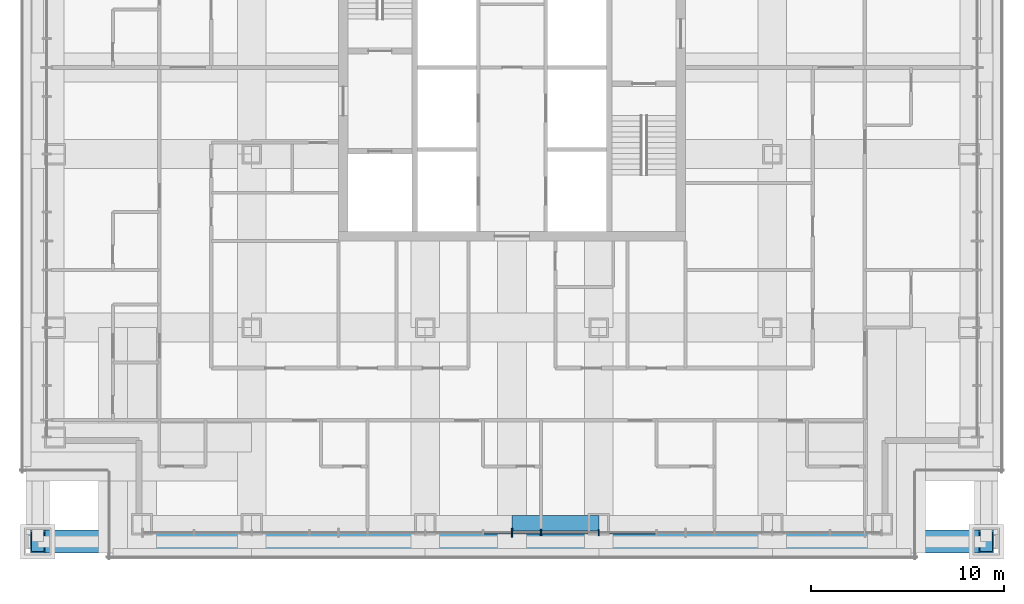
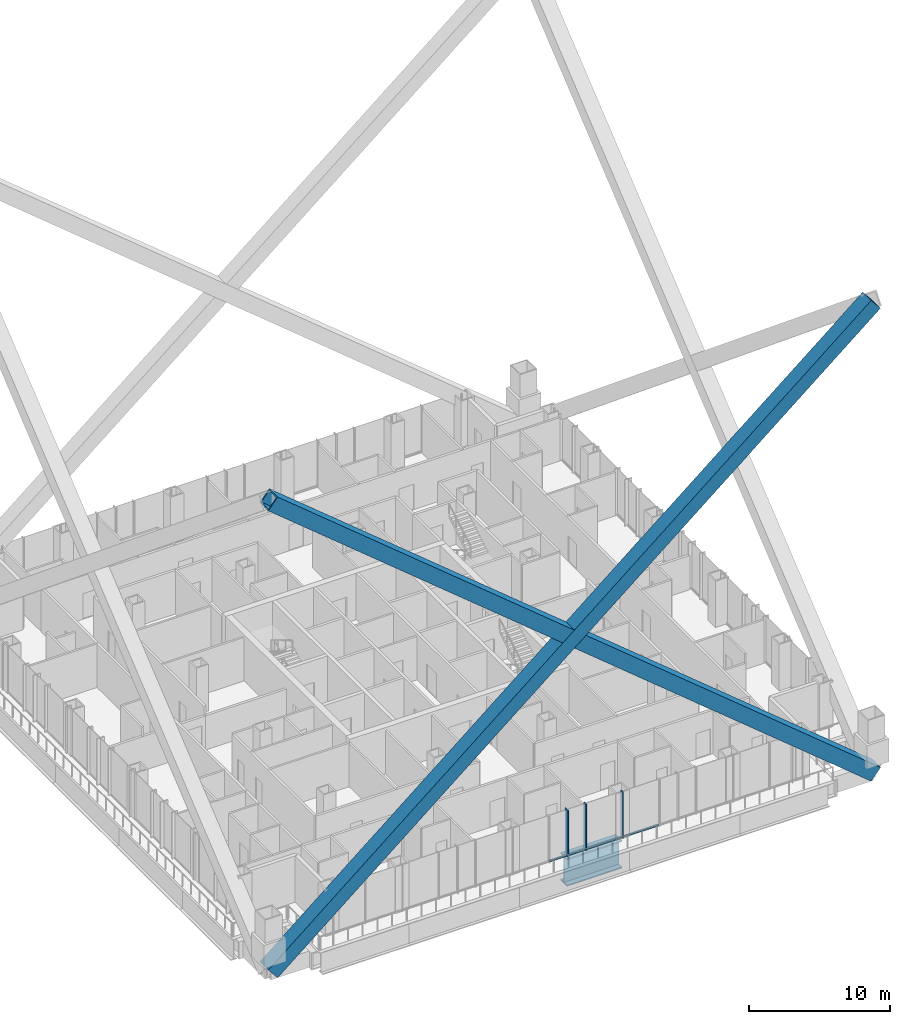
# One storey, part 3 of 20: 9 members, 1 beam, 1 element without a shape of its own.
"""IFC4 building model written with IfcOpenShell, lengths in metres."""

from ifc_helpers import new_model, si_unit, direction, frame, origin, origin_2d, place, context, subcontext, project, spatial, rectangle, hollow_rectangle, i_section, extrude, material, layer, layer_set, material_profile, profile_set, type_object, element, aggregate, save


model = new_model("IFC4")

# Units and contexts
model_context = context("Model", 3, precision=1e-05, world=origin(), true_north=direction((0.0, 1.0)))
body_context = subcontext(model_context, "Body", "Model", "MODEL_VIEW")
ifc_project = project(units=[si_unit("LENGTHUNIT", "METRE"), si_unit("AREAUNIT", "SQUARE_METRE"), si_unit("VOLUMEUNIT", "CUBIC_METRE"), si_unit("PLANEANGLEUNIT", "RADIAN"), si_unit("MASSUNIT", "GRAM", prefix="KILO")], contexts=[model_context])

# Site, building, storey
site_placement = place(None, origin())
site = spatial("IfcSite", under=ifc_project, at=site_placement, CompositionType="ELEMENT")
building_placement = place(site_placement, origin())
building = spatial("IfcBuilding", under=site, at=building_placement, Name="Malebo Sky Hospital", CompositionType="ELEMENT")
storey_placement = place(building_placement, frame((0.0, 0.0, 100.0)))
storey = spatial("IfcBuildingStorey", under=building, at=storey_placement, Name="L23", CompositionType="ELEMENT", Elevation=100.0)

# Curtain wall, members
ifc_material_1 = material(Name="Anodised aluminium, natural silver", Category="aluminium")
ifc_layer = layer(ifc_material_1, 0.25)
ifc_layer_set = layer_set([ifc_layer], Name="WARD CURTAIN WALL NORTH AND SOUTH")
curtain_wall_type = type_object("IfcCurtainWallType", Name="WARD CURTAIN WALL NORTH AND SOUTH", PredefinedType="NOTDEFINED", material=ifc_layer_set)
curtain_wall_placement = place(storey_placement, origin())
curtain_wall = element("IfcCurtainWall", 1, at=curtain_wall_placement, inside=storey, type_object=curtain_wall_type, Name="NS curtain wall S", PredefinedType="NOTDEFINED")
ifc_material_profile_1 = material_profile(ifc_material_1, rectangle(XDim=0.14990234375, YDim=0.10009765625, at=origin_2d()), Name="ALUMINIUM TRANSOM 150x100")
ifc_profile_set_1 = profile_set([ifc_material_profile_1], Name="Anodised aluminium, natural silver")
member_type_1 = type_object("IfcMemberType", Name="ALUMINIUM TRANSOM 150x100", PredefinedType="USERDEFINED", material=ifc_profile_set_1)
member_1_placement = place(storey_placement, frame((67.46240234375, 37.864990234375, 0.050048828125), z_axis=(-1.0, 0.0, 0.0), x_axis=(0.0, -1.0, 0.0)))
member_1 = element("IfcMember", 2, at=member_1_placement, type_object=member_type_1, Name="Transom 7", ObjectType="TRANSOM", PredefinedType="USERDEFINED", context=body_context, shape_type="SweptSolid", body=[
    extrude(rectangle(XDim=0.14990234375, YDim=0.10009765625, at=origin_2d()), origin(), (0.0, 0.0, 1.0), 2.9248046875),
])
member_2_placement = place(storey_placement, frame((64.46240234375, 37.864990234375, 0.050048828125), z_axis=(-1.0, 0.0, 0.0), x_axis=(0.0, -1.0, 0.0)))
member_2 = element("IfcMember", 3, at=member_2_placement, type_object=member_type_1, Name="Transom 8", ObjectType="TRANSOM", PredefinedType="USERDEFINED", context=body_context, shape_type="SweptSolid", body=[
    extrude(rectangle(XDim=0.14990234375, YDim=0.10009765625, at=origin_2d()), origin(), (0.0, 0.0, 1.0), 2.9248046875),
])
member_3_placement = place(storey_placement, frame((61.46240234375, 37.864990234375, 0.050048828125), z_axis=(-1.0, 0.0, 0.0), x_axis=(0.0, -1.0, 0.0)))
member_3 = element("IfcMember", 4, at=member_3_placement, type_object=member_type_1, Name="Transom 9", ObjectType="TRANSOM", PredefinedType="USERDEFINED", context=body_context, shape_type="SweptSolid", body=[
    extrude(rectangle(XDim=0.14990234375, YDim=0.10009765625, at=origin_2d()), origin(), (0.0, 0.0, 1.0), 1.4248046875),
])
member_4_placement = place(storey_placement, frame((59.96240234375, 37.864990234375, 0.050048828125), z_axis=(-1.0, 0.0, 0.0), x_axis=(0.0, -1.0, 0.0)))
member_4 = element("IfcMember", 5, at=member_4_placement, type_object=member_type_1, Name="Transom 10", ObjectType="TRANSOM", PredefinedType="USERDEFINED", context=body_context, shape_type="SweptSolid", body=[
    extrude(rectangle(XDim=0.14990234375, YDim=0.10009765625, at=origin_2d()), origin(), (0.0, 0.0, 1.0), 1.4248046875),
])
ifc_material_profile_2 = material_profile(ifc_material_1, rectangle(XDim=0.074951171875, YDim=0.300048828125, at=origin_2d()), Name="CW1 ALUMINIUM FIN MULLION 75x300")
ifc_profile_set_2 = profile_set([ifc_material_profile_2], Name="Anodised aluminium, natural silver")
member_type_2 = type_object("IfcMemberType", Name="CW1 ALUMINIUM FIN MULLION 75x300", PredefinedType="MULLION", material=ifc_profile_set_2)
member_5_placement = place(storey_placement, frame((64.5, 37.864990234375, 0.0), z_axis=(0.0, 0.0, 1.0), x_axis=(-1.0, 0.0, 0.0)))
member_5 = element("IfcMember", 6, at=member_5_placement, type_object=member_type_2, Name="Fin mullion 8", PredefinedType="MULLION", context=body_context, shape_type="SweptSolid", body=[
    extrude(rectangle(XDim=0.074951171875, YDim=0.300048828125, at=origin_2d()), origin(), (0.0, 0.0, 1.0), 4.0),
])
member_6_placement = place(storey_placement, frame((61.5, 37.864990234375, 0.0), z_axis=(0.0, 0.0, 1.0), x_axis=(-1.0, 0.0, 0.0)))
member_6 = element("IfcMember", 7, at=member_6_placement, type_object=member_type_2, Name="Fin mullion 9", PredefinedType="MULLION", context=body_context, shape_type="SweptSolid", body=[
    extrude(rectangle(XDim=0.074951171875, YDim=0.300048828125, at=origin_2d()), origin(), (0.0, 0.0, 1.0), 4.0),
])
ifc_material_profile_3 = material_profile(ifc_material_1, rectangle(XDim=0.074951171875, YDim=0.449951171875, at=origin_2d()), Name="CW1 ALUMINIUM FIN MULLION 75x450")
ifc_profile_set_3 = profile_set([ifc_material_profile_3], Name="Anodised aluminium, natural silver")
member_type_3 = type_object("IfcMemberType", Name="CW1 ALUMINIUM FIN MULLION 75x450", PredefinedType="MULLION", material=ifc_profile_set_3)
member_7_placement = place(storey_placement, frame((60.0, 37.864990234375, 0.0), z_axis=(0.0, 0.0, 1.0), x_axis=(-1.0, 0.0, 0.0)))
member_7 = element("IfcMember", 8, at=member_7_placement, type_object=member_type_3, Name="Fin mullion 10", PredefinedType="MULLION", context=body_context, shape_type="SweptSolid", body=[
    extrude(rectangle(XDim=0.074951171875, YDim=0.449951171875, at=origin_2d()), origin(), (0.0, 0.0, 1.0), 4.0),
])
aggregate(curtain_wall, [member_5, member_6, member_7, member_1, member_2, member_3, member_4])

# Members
ifc_material_2 = material(Name="Steel S460", Category="steel")
ifc_material_profile_4 = material_profile(ifc_material_2, hollow_rectangle(XDim=1.199951171875, YDim=1.199951171875, WallThickness=0.10009765625, at=origin_2d()), Name="BOX 1200x1200x100")
ifc_profile_set_4 = profile_set([ifc_material_profile_4], Name="Steel S460")
member_type_4 = type_object("IfcMemberType", Name="MEGA BRACE BOX 1200x1200x100", PredefinedType="BRACE", material=ifc_profile_set_4)
for number, where, z_axis, x_axis, name in (
    (9, (35.39990234375, 37.39990234375, -0.949951171875), (0.771682026821, 0.0, 0.63600852941), (0.0, 1.0, 0.0), "Mega brace B1S1 L23-L33"),
    (10, (84.60009765625, 37.39990234375, -0.949951171875), (-0.771682026821, 0.0, 0.63600852941), (0.0, -1.0, 0.0), "Mega brace B1S2 L23-L33"),
):
    element("IfcMember", number, at=place(storey_placement, frame(where, z_axis=z_axis, x_axis=x_axis)), inside=storey, type_object=member_type_4, Name=name, PredefinedType="BRACE", context=body_context, shape_type="SweptSolid", body=[
        extrude(hollow_rectangle(XDim=1.199951171875, YDim=1.199951171875, WallThickness=0.10009765625, at=origin_2d()), origin(), (0.0, 0.0, 1.0), 63.757080078125),
    ])

# Beam
ifc_material_3 = material(Name="Steel S355", Category="steel")
ifc_material_profile_5 = material_profile(ifc_material_3, i_section(OverallWidth=0.89990234375, OverallDepth=2.39990234375, WebThickness=0.050048828125, FlangeThickness=0.10009765625, at=origin_2d()), Name="PG 2400x900x50x100")
ifc_profile_set_5 = profile_set([ifc_material_profile_5], Name="Steel S355")
beam_type = type_object("IfcBeamType", Name="TRANSFER GIRDER PG 2400x900x50x100", PredefinedType="BEAM", material=ifc_profile_set_5)
beam_placement = place(storey_placement, frame((60.0, 38.300048828125, -1.449951171875), z_axis=(1.0, 0.0, 0.0), x_axis=(0.0, 1.0, 0.0)))
element("IfcBeam", 11, at=beam_placement, inside=storey, type_object=beam_type, Name="Beam 045d L23", PredefinedType="BEAM", context=body_context, shape_type="SweptSolid", body=[
    extrude(i_section(OverallWidth=0.89990234375, OverallDepth=2.39990234375, WebThickness=0.050048828125, FlangeThickness=0.10009765625, at=origin_2d()), origin(), (0.0, 0.0, 1.0), 4.5),
])

save(model, "model.ifc")
